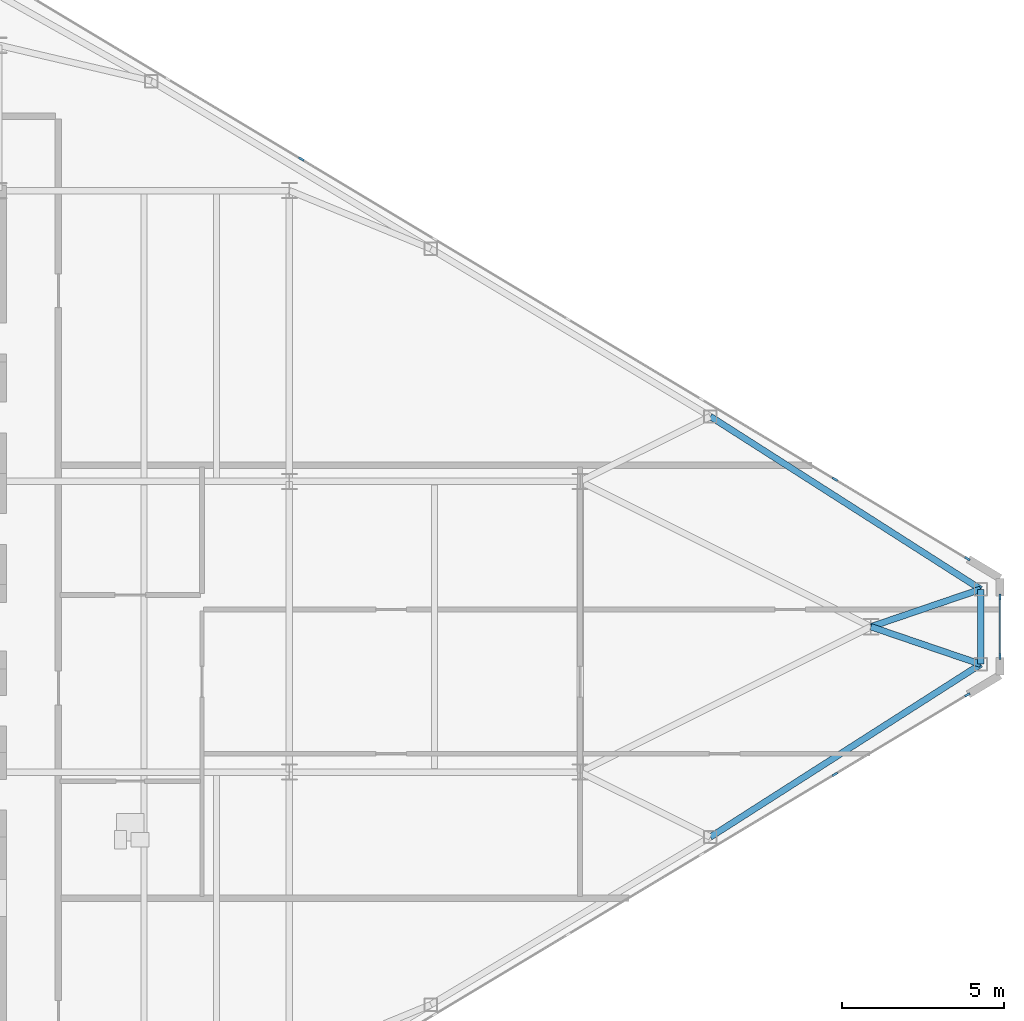
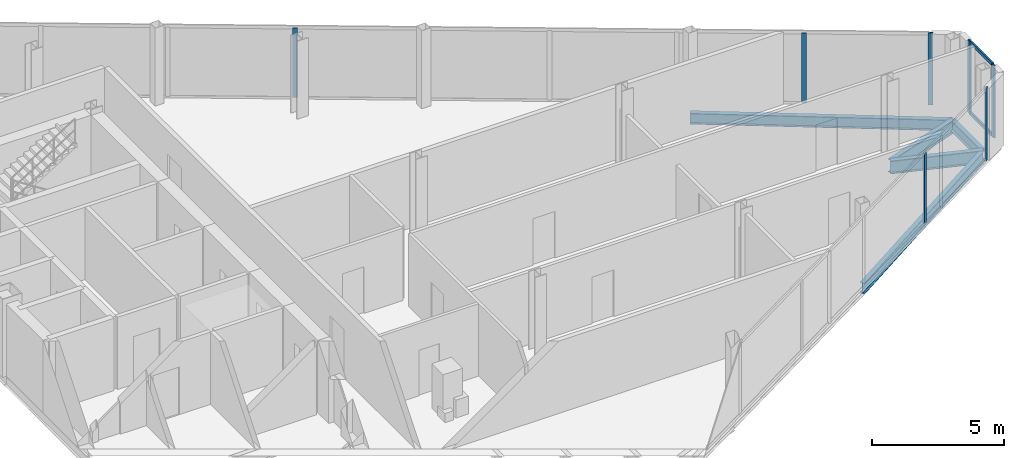
# One storey, part 17 of 26: 9 members, 5 beams, 3 elements without a shape of their own.
"""IFC4 building model written with IfcOpenShell, lengths in metres."""

from ifc_helpers import new_model, si_unit, direction, frame, origin, origin_2d, place, context, subcontext, project, spatial, rectangle, i_section, extrude, source, transform, mapped, material, layer, layer_set, material_profile, profile_set, type_object, type_shapes, element, aggregate, save


model = new_model("IFC4")

# Units and contexts
model_context = context("Model", 3, precision=1e-05, world=origin(), true_north=direction((0.0, 1.0)))
body_context = subcontext(model_context, "Body", "Model", "MODEL_VIEW")
ifc_project = project(units=[si_unit("LENGTHUNIT", "METRE"), si_unit("AREAUNIT", "SQUARE_METRE"), si_unit("VOLUMEUNIT", "CUBIC_METRE"), si_unit("PLANEANGLEUNIT", "RADIAN"), si_unit("MASSUNIT", "GRAM", prefix="KILO")], contexts=[model_context])

# Site, building, storey
site_placement = place(None, origin())
site = spatial("IfcSite", under=ifc_project, at=site_placement, CompositionType="ELEMENT")
building_placement = place(site_placement, origin())
building = spatial("IfcBuilding", under=site, at=building_placement, Name="Seokmaru Belvedere", CompositionType="ELEMENT")
storey_placement = place(building_placement, frame((0.0, 0.0, 221.10009765625)))
storey = spatial("IfcBuildingStorey", under=building, at=storey_placement, Name="L59", CompositionType="ELEMENT", Elevation=221.10009765625)

# Beams
ifc_material_1 = material(Name="Steel SM355 (355 MPa)", Category="steel")
ifc_material_profile_1 = material_profile(ifc_material_1, i_section(OverallWidth=0.199951171875, OverallDepth=0.5, WebThickness=0.010009765625, FlangeThickness=0.01611328125, at=origin_2d()), Name="H-500x200x10x16")
ifc_profile_set_1 = profile_set([ifc_material_profile_1], Name="Steel SM355 (355 MPa)")
beam_type_1 = type_object("IfcBeamType", Name="Perimeter Spandrel Beam H-500", PredefinedType="SPANDREL", material=ifc_profile_set_1)
shared_shape_1 = source(origin(), body_context, "Body", "SweptSolid", [
    extrude(i_section(OverallWidth=0.199951171875, OverallDepth=0.5, WebThickness=0.010009765625, FlangeThickness=0.01611328125, at=origin_2d()), origin(), (0.0, 0.0, 1.0), 9.932861328125),
])
for number, where, z_axis, x_axis, name in (
    (1, (58.530029296875, -6.5087890625, -0.47021484375), (0.842651960357, 0.538458609093, 0.0), (-0.538458609093, 0.842651960357, 0.0), "L59 E Faceted Flank Spandrel S-4"),
    (2, (58.530029296875, 6.5087890625, -0.47021484375), (0.842651960357, -0.538458609093, 0.0), (0.538458609093, 0.842651960357, 0.0), "L59 E Faceted Flank Spandrel N-4"),
):
    element("IfcBeam", number, at=place(storey_placement, frame(where, z_axis=z_axis, x_axis=x_axis)), inside=storey, type_object=beam_type_1, Name=name, PredefinedType="SPANDREL", context=body_context, shape_type="MappedRepresentation", body=[
        mapped(shared_shape_1, transform((0.0, 0.0, 0.0), scale=1.0)),
    ])
shared_shape_2 = source(origin(), body_context, "Body", "SweptSolid", [
    extrude(i_section(OverallWidth=0.199951171875, OverallDepth=0.5, WebThickness=0.010009765625, FlangeThickness=0.01611328125, at=origin_2d()), origin(), (0.0, 0.0, 1.0), 2.32080078125),
])
type_shapes(beam_type_1, [shared_shape_1, shared_shape_2])
beam_placement = place(storey_placement, frame((66.89990234375, -1.160400390625, -0.47021484375), z_axis=(0.0, 1.0, 0.0), x_axis=(-1.0, 0.0, 0.0)))
element("IfcBeam", 3, at=beam_placement, inside=storey, type_object=beam_type_1, Name="L59 E Faceted Apex Spandrel", PredefinedType="SPANDREL", context=body_context, shape_type="MappedRepresentation", body=[
    mapped(shared_shape_2, transform((0.0, 0.0, 0.0), scale=1.0)),
])
ifc_material_profile_2 = material_profile(ifc_material_1, i_section(OverallWidth=0.199951171875, OverallDepth=0.60009765625, WebThickness=0.010986328125, FlangeThickness=0.01708984375, at=origin_2d()), Name="H-600x200x11x17")
ifc_profile_set_2 = profile_set([ifc_material_profile_2], Name="Steel SM355 (355 MPa)")
beam_type_2 = type_object("IfcBeamType", Name="Primary Floor Girder H-600", PredefinedType="BEAM", material=ifc_profile_set_2)
shared_shape_3 = source(origin(), body_context, "Body", "SweptSolid", [
    extrude(i_section(OverallWidth=0.199951171875, OverallDepth=0.60009765625, WebThickness=0.010986328125, FlangeThickness=0.01708984375, at=origin_2d()), origin(), (0.0, 0.0, 1.0), 3.592529296875),
])
type_shapes(beam_type_2, [shared_shape_3])
for number, where, z_axis, x_axis, name in (
    (4, (66.89990234375, -1.160400390625, -0.52001953125), (-0.946395973048, 0.323008764893, 0.0), (-0.323008764893, -0.946395973048, 0.0), "L59 E Apex Radial Floor Girder 1"),
    (5, (66.89990234375, 1.160400390625, -0.52001953125), (-0.946395973048, -0.323008764893, 0.0), (0.323008764893, -0.946395973048, 0.0), "L59 E Apex Radial Floor Girder 2"),
):
    element("IfcBeam", number, at=place(storey_placement, frame(where, z_axis=z_axis, x_axis=x_axis)), inside=storey, type_object=beam_type_2, Name=name, PredefinedType="BEAM", context=body_context, shape_type="MappedRepresentation", body=[
        mapped(shared_shape_3, transform((0.0, 0.0, 0.0), scale=1.0)),
    ])

# Curtain wall, member
ifc_material_2 = material(Name="Bronze Triple Insulating Glass", Category="glass")
ifc_layer = layer(ifc_material_2, 0.179931640625)
ifc_layer_set = layer_set([ifc_layer], Name="Bronze Triple Insulating Glass")
curtain_wall_type = type_object("IfcCurtainWallType", Name="High-Rise Wind-Corner Curtain Wall System CW-5", PredefinedType="NOTDEFINED", material=ifc_layer_set)
curtain_wall_1_placement = place(storey_placement, origin())
curtain_wall_1 = element("IfcCurtainWall", 6, at=curtain_wall_1_placement, inside=storey, type_object=curtain_wall_type, Name="L59 Curtain Wall EF1", PredefinedType="NOTDEFINED")
ifc_material_3 = material(Name="Anodised Bronze Aluminium", Category="aluminium")
ifc_material_profile_3 = material_profile(ifc_material_3, rectangle(XDim=0.06494140625, YDim=0.179931640625, at=origin_2d()), Name="CW-M-65x180")
ifc_profile_set_3 = profile_set([ifc_material_profile_3], Name="Anodised Bronze Aluminium")
member_type_1 = type_object("IfcMemberType", Name="Bronze Unitised Mullion 65x180", PredefinedType="MULLION", material=ifc_profile_set_3)
shared_shape_4 = source(origin(), body_context, "Body", "SweptSolid", [
    extrude(rectangle(XDim=0.06494140625, YDim=0.179931640625, at=origin_2d()), origin(), (0.0, 0.0, 1.0), 3.2099609375),
])
member_1_placement = place(storey_placement, frame((62.385498046875, -4.56884765625, 0.06494140625), z_axis=(0.0, 0.0, 1.0), x_axis=(-0.514494909364, 0.85749343335, 0.0)))
member_1 = element("IfcMember", 7, at=member_1_placement, type_object=member_type_1, Name="CW:L59:EF1 Mullion 8", PredefinedType="MULLION", context=body_context, shape_type="MappedRepresentation", body=[
    mapped(shared_shape_4, transform((0.0, 0.0, 0.0), scale=1.0)),
])

# Curtain wall, members
curtain_wall_2_placement = place(storey_placement, origin())
curtain_wall_2 = element("IfcCurtainWall", 8, at=curtain_wall_2_placement, inside=storey, type_object=curtain_wall_type, Name="L59 Curtain Wall EF3", PredefinedType="NOTDEFINED")
member_2_placement = place(storey_placement, frame((62.385498046875, 4.56884765625, 0.06494140625), z_axis=(0.0, 0.0, 1.0), x_axis=(-0.514494909364, -0.85749343335, 0.0)))
member_2 = element("IfcMember", 9, at=member_2_placement, type_object=member_type_1, Name="CW:L59:EF3 Mullion 2", PredefinedType="MULLION", context=body_context, shape_type="MappedRepresentation", body=[
    mapped(shared_shape_4, transform((0.0, 0.0, 0.0), scale=1.0)),
])
member_3_placement = place(storey_placement, frame((45.87158203125, 14.47705078125, 0.06494140625), z_axis=(0.0, 0.0, 1.0), x_axis=(-0.514494909364, -0.85749343335, 0.0)))
member_3 = element("IfcMember", 10, at=member_3_placement, type_object=member_type_1, Name="CW:L59:EF3 Mullion 6", PredefinedType="MULLION", context=body_context, shape_type="MappedRepresentation", body=[
    mapped(shared_shape_4, transform((0.0, 0.0, 0.0), scale=1.0)),
])

curtain_wall_3_placement = place(storey_placement, origin())
curtain_wall_3 = element("IfcCurtainWall", 11, at=curtain_wall_3_placement, inside=storey, type_object=curtain_wall_type, Name="L59 Curtain Wall EF2", PredefinedType="NOTDEFINED")
ifc_material_profile_4 = material_profile(ifc_material_3, rectangle(XDim=0.06494140625, YDim=0.14990234375, at=origin_2d()), Name="CW-T-65x150")
ifc_profile_set_4 = profile_set([ifc_material_profile_4], Name="Anodised Bronze Aluminium")
member_type_2 = type_object("IfcMemberType", Name="Bronze Unitised Transom 65x150", PredefinedType="USERDEFINED", material=ifc_profile_set_4)
shared_shape_5 = source(origin(), body_context, "Body", "SweptSolid", [
    extrude(rectangle(XDim=0.06494140625, YDim=0.14990234375, at=origin_2d()), origin(), (0.0, 0.0, 1.0), 1.77001953125),
])
type_shapes(member_type_2, [shared_shape_5])
member_4_placement = place(storey_placement, frame((67.5, -0.885009765625, 0.032470703125), z_axis=(0.0, 1.0, 0.0), x_axis=(-1.0, 0.0, 0.0)))
member_4 = element("IfcMember", 12, at=member_4_placement, type_object=member_type_2, Name="CW:L59:EF2 Continuous Transom 1", ObjectType="TRANSOM", PredefinedType="USERDEFINED", context=body_context, shape_type="MappedRepresentation", body=[
    mapped(shared_shape_5, transform((0.0, 0.0, 0.0), scale=1.0)),
])
member_5_placement = place(storey_placement, frame((67.5, -0.885009765625, 3.307373046875), z_axis=(0.0, 1.0, 0.0), x_axis=(-1.0, 0.0, 0.0)))
member_5 = element("IfcMember", 13, at=member_5_placement, type_object=member_type_2, Name="CW:L59:EF2 Continuous Transom 2", ObjectType="TRANSOM", PredefinedType="USERDEFINED", context=body_context, shape_type="MappedRepresentation", body=[
    mapped(shared_shape_5, transform((0.0, 0.0, 0.0), scale=1.0)),
])

# Member
shared_shape_6 = source(origin(), body_context, "Body", "SweptSolid", [
    extrude(rectangle(XDim=0.06494140625, YDim=0.179931640625, at=origin_2d()), origin(), (0.0, 0.0, 1.0), 3.33984375),
])
type_shapes(member_type_1, [shared_shape_4, shared_shape_6])
member_6_placement = place(storey_placement, frame((66.486083984375, -2.1083984375, 0.0), z_axis=(0.0, 0.0, 1.0), x_axis=(-0.514494909364, 0.85749343335, 0.0)))
member_6 = element("IfcMember", 14, at=member_6_placement, type_object=member_type_1, Name="CW:L59:EF1 Mullion 9", PredefinedType="MULLION", context=body_context, shape_type="MappedRepresentation", body=[
    mapped(shared_shape_6, transform((0.0, 0.0, 0.0), scale=1.0)),
])

aggregate(curtain_wall_1, [member_1, member_6])

member_7_placement = place(storey_placement, frame((67.5, -0.91748046875, 0.0), z_axis=(0.0, 0.0, 1.0), x_axis=(-1.0, 0.0, 0.0)))
member_7 = element("IfcMember", 15, at=member_7_placement, type_object=member_type_1, Name="CW:L59:EF2 Mullion 1", PredefinedType="MULLION", context=body_context, shape_type="MappedRepresentation", body=[
    mapped(shared_shape_6, transform((0.0, 0.0, 0.0), scale=1.0)),
])

member_8_placement = place(storey_placement, frame((67.5, 0.91748046875, 0.0), z_axis=(0.0, 0.0, 1.0), x_axis=(-1.0, 0.0, 0.0)))
member_8 = element("IfcMember", 16, at=member_8_placement, type_object=member_type_1, Name="CW:L59:EF2 Mullion 2", PredefinedType="MULLION", context=body_context, shape_type="MappedRepresentation", body=[
    mapped(shared_shape_6, transform((0.0, 0.0, 0.0), scale=1.0)),
])

aggregate(curtain_wall_3, [member_7, member_8, member_4, member_5])

member_9_placement = place(storey_placement, frame((66.486083984375, 2.1083984375, 0.0), z_axis=(0.0, 0.0, 1.0), x_axis=(-0.514494909364, -0.85749343335, 0.0)))
member_9 = element("IfcMember", 17, at=member_9_placement, type_object=member_type_1, Name="CW:L59:EF3 Mullion 1", PredefinedType="MULLION", context=body_context, shape_type="MappedRepresentation", body=[
    mapped(shared_shape_6, transform((0.0, 0.0, 0.0), scale=1.0)),
])

aggregate(curtain_wall_2, [member_9, member_2, member_3])

save(model, "model.ifc")
